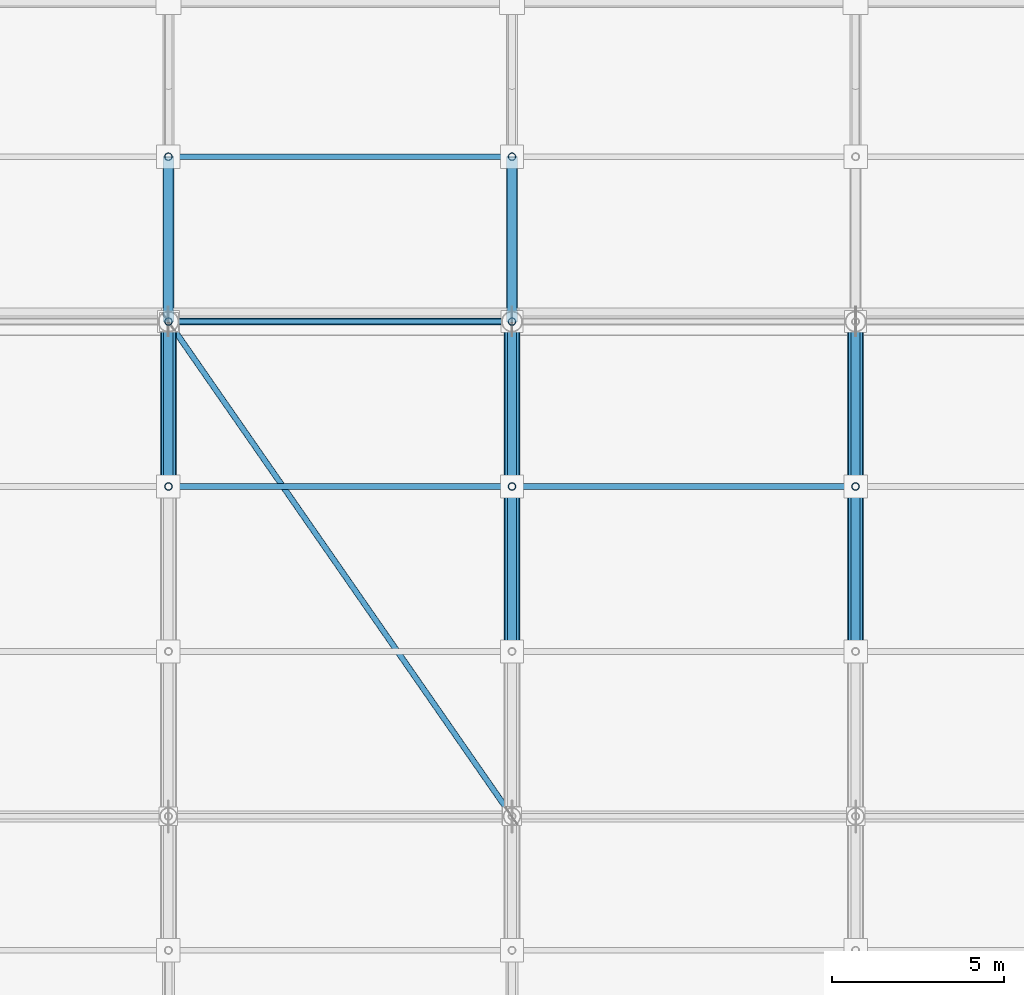
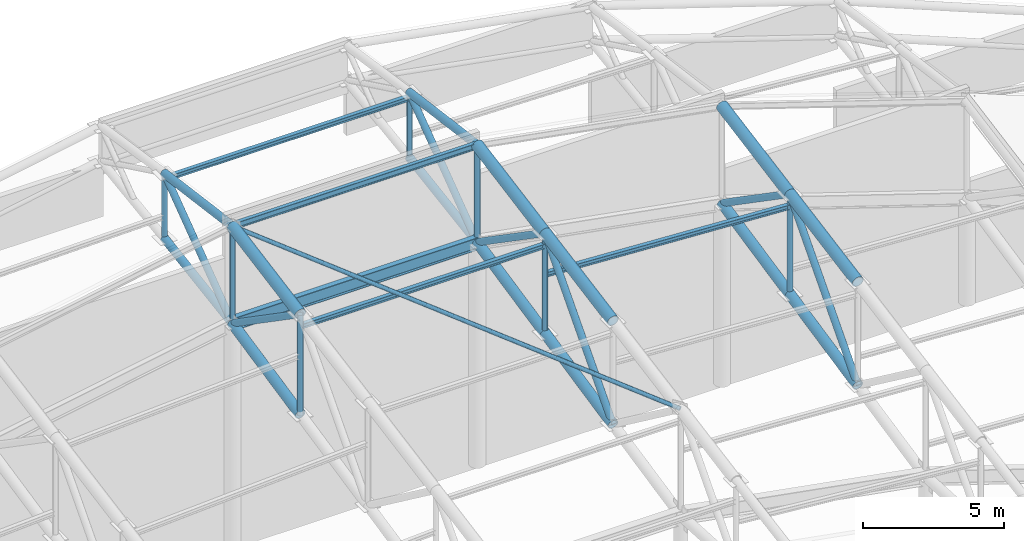
# One storey, part 94 of 146: 32 members, 2 beams.
"""IFC4 building model written with IfcOpenShell, lengths in metres."""

import ifcopenshell
import ifcopenshell.guid

model = None  # the IFC model being written
_history = None  # IfcOwnerHistory: only IFC2X3 demands one
_inside = {}  # id of a spatial element -> (the spatial element, [elements in it])
_under = {}  # id of a project, library or spatial element -> (it, [spatial elements below it])
_declared = {}  # id of a project -> (the project, [libraries it declares])
_typed = {}  # id of a type object -> (the type object, [elements of that type])
_made_of = {}  # id of a material, layer set ... -> (it, [elements and type objects made of it])


def new_model(schema):
    """Start an empty IFC model of exactly this schema.

    Asked for "IFC4X3", IfcOpenShell would pick the latest addendum, in which some entities
    have other attributes; the version numbers below select the first issue.
    IFC2X3 requires an IfcOwnerHistory on every rooted entity: one is made here for all.
    """
    global model, _history
    if schema == "IFC4X3":
        model = ifcopenshell.file(schema_version=(4, 3, 0, 0))
    else:
        model = ifcopenshell.file(schema=schema)
    _inside.clear()
    _under.clear()
    _declared.clear()
    _typed.clear()
    _made_of.clear()
    _history = None
    if model.schema == "IFC2X3":
        org = make("IfcOrganization", Name="unknown")
        user = make(
            "IfcPersonAndOrganization",
            ThePerson=make("IfcPerson", FamilyName="unknown"),
            TheOrganization=org,
        )
        app = make(
            "IfcApplication",
            ApplicationDeveloper=org,
            Version="unknown",
            ApplicationFullName="unknown",
            ApplicationIdentifier="unknown",
        )
        _history = make(
            "IfcOwnerHistory",
            OwningUser=user,
            OwningApplication=app,
            ChangeAction="ADDED",
            CreationDate=0,
        )
    return model


def make(cls, **values):
    """One entity of the class cls with the attributes given. An attribute that is None is left unset."""
    return model.create_entity(
        cls, **{name: value for name, value in values.items() if value is not None}
    )


def rooted(cls, **values):
    """An entity with a GlobalId (a new one), such as an element, a storey or a relation."""
    return make(cls, GlobalId=ifcopenshell.guid.new(), OwnerHistory=_history, **values)


def si_unit(unit_type, name, prefix=None):
    """IfcSIUnit, for example si_unit("LENGTHUNIT", "METRE", prefix="MILLI")."""
    return make("IfcSIUnit", UnitType=unit_type, Prefix=prefix, Name=name)


def assignment(units):
    """IfcUnitAssignment: the units of a project."""
    return None if units is None else make("IfcUnitAssignment", Units=units)


def point(xyz):
    """IfcCartesianPoint."""
    return None if xyz is None else make("IfcCartesianPoint", Coordinates=xyz)


def direction(xyz):
    """IfcDirection."""
    return None if xyz is None else make("IfcDirection", DirectionRatios=xyz)


def frame(location, z_axis=None, x_axis=None):
    """IfcAxis2Placement3D, a coordinate frame: its origin and axes. An axis left out is left unset."""
    return make(
        "IfcAxis2Placement3D",
        Location=point(location),
        Axis=direction(z_axis),
        RefDirection=direction(x_axis),
    )


def frame_2d(location, x_axis=None):
    """IfcAxis2Placement2D, a coordinate frame in the plane: its origin and x axis."""
    return make(
        "IfcAxis2Placement2D", Location=point(location), RefDirection=direction(x_axis)
    )


def origin():
    """The frame at (0, 0, 0) with its axes left unset."""
    return frame((0.0, 0.0, 0.0))


def origin_2d():
    """The frame at (0, 0) in the plane with its x axis left unset."""
    return frame_2d((0.0, 0.0))


def place(relative_to, where):
    """IfcLocalPlacement: puts the frame where relative to a parent placement (None: the world)."""
    return make(
        "IfcLocalPlacement", PlacementRelTo=relative_to, RelativePlacement=where
    )


def context(
    kind, dimensions, precision=None, world=None, true_north=None, identifier=None
):
    """IfcGeometricRepresentationContext, for example the 3D "Model" context."""
    return make(
        "IfcGeometricRepresentationContext",
        ContextIdentifier=identifier,
        ContextType=kind,
        CoordinateSpaceDimension=dimensions,
        Precision=precision,
        WorldCoordinateSystem=world,
        TrueNorth=true_north,
    )


def subcontext(parent, identifier, kind, view, scale=None):
    """IfcGeometricRepresentationSubContext, for example "Body" below "Model"."""
    return make(
        "IfcGeometricRepresentationSubContext",
        ContextIdentifier=identifier,
        ContextType=kind,
        ParentContext=parent,
        TargetScale=scale,
        TargetView=view,
    )


def project(units=None, contexts=None):
    """IfcProject with its units and contexts."""
    return rooted(
        "IfcProject",
        Name="project",
        RepresentationContexts=contexts,
        UnitsInContext=assignment(units),
    )


def spatial(cls, under=None, at=None, **own):
    """A site, building, storey or space (cls), placed at a placement, below another one or the project."""
    s = rooted(cls, ObjectPlacement=at, **own)
    if under is not None:
        _under.setdefault(under.id(), (under, []))[1].append(s)
    return s


def profile(cls, at=None, kind="AREA", **sizes):
    """A parametric profile (cls). Its sizes go by their IFC names, for example OverallWidth=200.0."""
    return make(cls, ProfileType=kind, Position=at, **sizes)


def hollow_circle(**sizes):
    """IfcCircleHollowProfileDef."""
    return profile("IfcCircleHollowProfileDef", **sizes)


def i_section(**sizes):
    """IfcIShapeProfileDef."""
    return profile("IfcIShapeProfileDef", **sizes)


def extrude(swept, where, along, depth):
    """IfcExtrudedAreaSolid: the profile swept, set in the frame where, extruded along a direction by depth."""
    return make(
        "IfcExtrudedAreaSolid",
        SweptArea=swept,
        Position=where,
        ExtrudedDirection=direction(along),
        Depth=depth,
    )


def shape(context_of_items, identifier, shape_type, items):
    """IfcShapeRepresentation: the items that make up one representation, for example the "Body"."""
    return make(
        "IfcShapeRepresentation",
        ContextOfItems=context_of_items,
        RepresentationIdentifier=identifier,
        RepresentationType=shape_type,
        Items=items,
    )


def material(Name=None, Category=None):
    """IfcMaterial."""
    return make("IfcMaterial", Name=Name, Category=Category)


def material_profile(
    of_material, cross_section, Name=None, Category=None, Priority=None
):
    """IfcMaterialProfile: a cross section and its material."""
    return make(
        "IfcMaterialProfile",
        Name=Name,
        Material=of_material,
        Profile=cross_section,
        Priority=Priority,
        Category=Category,
    )


def profile_set(profiles, Name=None, composite=None):
    """IfcMaterialProfileSet."""
    return make(
        "IfcMaterialProfileSet",
        Name=Name,
        MaterialProfiles=profiles,
        CompositeProfile=composite,
    )


def made_of(thing, what):
    """Note that an element or type object is made of a material, layer set ...; save() writes the relation."""
    if what is not None:
        _made_of.setdefault(what.id(), (what, []))[1].append(thing)
    return thing


def type_object(cls, material=None, **own):
    """A type object (cls), such as IfcWallType, which elements share."""
    return made_of(rooted(cls, **own), material)


def element(
    cls,
    number,
    at=None,
    inside=None,
    cuts=None,
    type_object=None,
    material=None,
    context=None,
    identifier="Body",
    shape_type=None,
    held_by="IfcProductDefinitionShape",
    body=None,
    shapes=None,
    **own,
):
    """One element of the class cls, such as IfcWall. Its Tag is "e" and its number.

    at: its placement. inside: the storey or other place that contains it. cuts: it is an
    opening in that element (IfcRelVoidsElement). A single representation is given by context,
    identifier, shape_type and body (its items); several are given by shapes. held_by: the class
    of the entity that holds the representations. save() writes the other relations.
    """
    e = rooted(cls, Tag="e%d" % number, ObjectPlacement=at, **own)
    if body is not None:
        shapes = [shape(context, identifier, shape_type, body)]
    if shapes is not None:
        e.Representation = make(held_by, Representations=shapes)
    if inside is not None:
        _inside.setdefault(inside.id(), (inside, []))[1].append(e)
    if cuts is not None:
        rooted(
            "IfcRelVoidsElement", RelatingBuildingElement=cuts, RelatedOpeningElement=e
        )
    if type_object is not None:
        _typed.setdefault(type_object.id(), (type_object, []))[1].append(e)
    return made_of(e, material)


def aggregate(whole, parts):
    """IfcRelAggregates: a whole, such as a stair, and the parts it consists of."""
    return rooted("IfcRelAggregates", RelatingObject=whole, RelatedObjects=parts)


def save(model, path):
    """Write the relations noted so far, then the file.

    IfcRelAggregates (storeys below a building ...), IfcRelContainedInSpatialStructure (elements
    in a storey), IfcRelDefinesByType, IfcRelAssociatesMaterial and IfcRelDeclares: one each for
    every whole, place, type object, material and project.
    """
    for whole, parts in _under.values():
        aggregate(whole, parts)
    for where, things in _inside.values():
        rooted(
            "IfcRelContainedInSpatialStructure",
            RelatedElements=things,
            RelatingStructure=where,
        )
    for kind, things in _typed.values():
        rooted("IfcRelDefinesByType", RelatedObjects=things, RelatingType=kind)
    for what, things in _made_of.values():
        rooted("IfcRelAssociatesMaterial", RelatedObjects=things, RelatingMaterial=what)
    for by, libraries in _declared.values():
        rooted("IfcRelDeclares", RelatingContext=by, RelatedDefinitions=libraries)
    model.write(path)


model = new_model("IFC4")

# Units and contexts
model_context = context("Model", 3, precision=1e-05, world=origin(), true_north=direction((0.0, 1.0)))
body_context = subcontext(model_context, "Body", "Model", "MODEL_VIEW")
ifc_project = project(units=[si_unit("LENGTHUNIT", "METRE"), si_unit("AREAUNIT", "SQUARE_METRE"), si_unit("VOLUMEUNIT", "CUBIC_METRE"), si_unit("PLANEANGLEUNIT", "RADIAN"), si_unit("MASSUNIT", "GRAM", prefix="KILO")], contexts=[model_context])

# Site, building, storey
site_placement = place(None, origin())
site = spatial("IfcSite", under=ifc_project, at=site_placement, CompositionType="ELEMENT")
building_placement = place(site_placement, origin())
building = spatial("IfcBuilding", under=site, at=building_placement, Name="Candeia Ridge Stadium", CompositionType="ELEMENT")
storey_placement = place(building_placement, frame((0.0, 0.0, 31.800048828125)))
storey = spatial("IfcBuildingStorey", under=building, at=storey_placement, Name="RF", CompositionType="ELEMENT", Elevation=31.800048828125)

# Beams
ifc_material = material(Name="Steel ASTM A572 Grade 50", Category="steel")
ifc_material_profile_1 = material_profile(ifc_material, i_section(OverallWidth=0.14794921875, OverallDepth=0.26611328125, WebThickness=0.007568359375, FlangeThickness=0.012939453125, FilletRadius=0.010986328125, at=origin_2d()), Name="W250x44.8", Category="steel")
ifc_profile_set_1 = profile_set([ifc_material_profile_1], Name="Steel ASTM A572 Grade 50")
beam_type_1 = type_object("IfcBeamType", Name="Canopy Edge Spandrel W250x44.8", PredefinedType="SPANDREL", material=ifc_profile_set_1)
beam_1_placement = place(storey_placement, frame((110.9599609375, 147.0, 13.76416015625), z_axis=(-1.0, 0.0, 0.0), x_axis=(0.0, -1.0, 0.0)))
element("IfcBeam", 1, at=beam_1_placement, inside=storey, type_object=beam_type_1, Name="Roof crown cap ring beam bay 04", PredefinedType="SPANDREL", context=body_context, shape_type="SweptSolid", body=[
    extrude(i_section(OverallWidth=0.14794921875, OverallDepth=0.26611328125, WebThickness=0.007568359375, FlangeThickness=0.012939453125, FilletRadius=0.010986328125, at=origin_2d()), origin(), (0.0, 0.0, 1.0), 9.919921875),
])
ifc_material_profile_2 = material_profile(ifc_material, i_section(OverallWidth=0.2119140625, OverallDepth=0.5439453125, WebThickness=0.01318359375, FlangeThickness=0.021240234375, FilletRadius=0.013916015625, at=origin_2d()), Name="W530x123", Category="steel")
ifc_profile_set_2 = profile_set([ifc_material_profile_2], Name="Steel ASTM A572 Grade 50")
beam_type_2 = type_object("IfcBeamType", Name="Roof Perimeter Ring Beam W530x123", PredefinedType="BEAM", material=ifc_profile_set_2)
beam_2_placement = place(storey_placement, frame((110.9599609375, 147.0, 9.564208984375), z_axis=(-1.0, 0.0, 0.0), x_axis=(0.0, -1.0, 0.0)))
element("IfcBeam", 2, at=beam_2_placement, inside=storey, type_object=beam_type_2, Name="Roof perimeter ring beam bay 04", PredefinedType="BEAM", context=body_context, shape_type="SweptSolid", body=[
    extrude(i_section(OverallWidth=0.2119140625, OverallDepth=0.5439453125, WebThickness=0.01318359375, FlangeThickness=0.021240234375, FilletRadius=0.013916015625, at=origin_2d()), origin(), (0.0, 0.0, 1.0), 9.919921875),
])

# Members
ifc_material_profile_3 = material_profile(ifc_material, hollow_circle(Radius=0.084228515625, WallThickness=0.008056640625, at=origin_2d()), Name="CHS168x8", Category="steel")
ifc_profile_set_3 = profile_set([ifc_material_profile_3], Name="Steel ASTM A572 Grade 50")
member_type_1 = type_object("IfcMemberType", Name="Roof Plan Wind Brace CHS168x8", PredefinedType="BRACE", material=ifc_profile_set_3)
member_1_placement = place(storey_placement, frame((110.98876953125, 132.6162109375, 11.103271484375), z_axis=(-0.56392860847, 0.812044501318, 0.150227335823), x_axis=(-0.821365787944, -0.570401825378, 0.0)))
element("IfcMember", 3, at=member_1_placement, inside=storey, type_object=member_type_1, Name="Roof plane wind brace bay 04", PredefinedType="BRACE", context=body_context, shape_type="SweptSolid", body=[
    extrude(hollow_circle(Radius=0.084228515625, WallThickness=0.008056640625, at=origin_2d()), origin(), (0.0, 0.0, 1.0), 17.69287109375),
])
ifc_material_profile_4 = material_profile(ifc_material, i_section(OverallWidth=0.1650390625, OverallDepth=0.200927734375, WebThickness=0.006103515625, FlangeThickness=0.01025390625, FilletRadius=0.010009765625, at=origin_2d()), Name="W200x35.9", Category="steel")
ifc_profile_set_4 = profile_set([ifc_material_profile_4], Name="Steel ASTM A572 Grade 50")
member_type_2 = type_object("IfcMemberType", Name="Roof Purlin W200x35.9", PredefinedType="PURLIN", material=ifc_profile_set_4)
member_2_placement = place(storey_placement, frame((120.9501953125, 142.199951171875, 10.5439453125), z_axis=(-0.998435557369, 0.0, 0.055914557871), x_axis=(0.0, -1.0, 0.0)))
element("IfcMember", 4, at=member_2_placement, inside=storey, type_object=member_type_2, Name="Saddle roof steel purlin bay 03-4", PredefinedType="PURLIN", context=body_context, shape_type="SweptSolid", body=[
    extrude(i_section(OverallWidth=0.1650390625, OverallDepth=0.200927734375, WebThickness=0.006103515625, FlangeThickness=0.01025390625, FilletRadius=0.010009765625, at=origin_2d()), origin(), (0.0, 0.0, 1.0), 9.916015625),
])
for number, where, z_axis, x_axis, name in (
    (5, (110.949951171875, 142.199951171875, 12.356201171875), (-1.0, 0.0, 0.0), (0.0, -1.0, 0.0), "Saddle roof steel purlin bay 04-4"),
    (6, (110.949951171875, 151.800048828125, 12.902587890625), (-1.0, 0.0, 0.0), (0.0, -1.0, 0.0), "Saddle roof steel purlin bay 04-5"),
):
    element("IfcMember", number, at=place(storey_placement, frame(where, z_axis=z_axis, x_axis=x_axis)), inside=storey, type_object=member_type_2, Name=name, PredefinedType="PURLIN", context=body_context, shape_type="SweptSolid", body=[
        extrude(i_section(OverallWidth=0.1650390625, OverallDepth=0.200927734375, WebThickness=0.006103515625, FlangeThickness=0.01025390625, FilletRadius=0.010009765625, at=origin_2d()), origin(), (0.0, 0.0, 1.0), 9.89990234375),
    ])
ifc_material_profile_5 = material_profile(ifc_material, hollow_circle(Radius=0.161865234375, WallThickness=0.012451171875, at=origin_2d()), Name="CHS323x12", Category="steel")
ifc_profile_set_5 = profile_set([ifc_material_profile_5], Name="Steel ASTM A572 Grade 50")
member_type_3 = type_object("IfcMemberType", Name="Roof Truss Eaves Chord CHS323x12", PredefinedType="CHORD", material=ifc_profile_set_5)
member_3_placement = place(storey_placement, frame((111.0, 147.0, 13.76416015625), z_axis=(0.0, 0.991184698971, -0.132487329683), x_axis=(-1.0, 0.0, 0.0)))
element("IfcMember", 7, at=member_3_placement, inside=storey, type_object=member_type_3, Name="Roof cantilever truss RT-04 top chord 7", PredefinedType="CHORD", context=body_context, shape_type="SweptSolid", body=[
    extrude(hollow_circle(Radius=0.161865234375, WallThickness=0.012451171875, at=origin_2d()), origin(), (0.0, 0.0, 1.0), 4.8427734375),
])
member_4_placement = place(storey_placement, frame((111.0, 147.0, 9.564208984375), z_axis=(0.0, 0.987950881294, 0.154767749066), x_axis=(-1.0, 0.0, 0.0)))
element("IfcMember", 8, at=member_4_placement, inside=storey, type_object=member_type_3, Name="Roof cantilever truss RT-04 bottom chord 7", PredefinedType="CHORD", context=body_context, shape_type="SweptSolid", body=[
    extrude(hollow_circle(Radius=0.161865234375, WallThickness=0.012451171875, at=origin_2d()), origin(), (0.0, 0.0, 1.0), 4.858642578125),
])
member_5_placement = place(storey_placement, frame((101.0, 147.0, 13.76416015625), z_axis=(0.0, 0.991184698971, -0.132487329683), x_axis=(-1.0, 0.0, 0.0)))
element("IfcMember", 9, at=member_5_placement, inside=storey, type_object=member_type_3, Name="Roof cantilever truss RT-05 top chord 7", PredefinedType="CHORD", context=body_context, shape_type="SweptSolid", body=[
    extrude(hollow_circle(Radius=0.161865234375, WallThickness=0.012451171875, at=origin_2d()), origin(), (0.0, 0.0, 1.0), 4.8427734375),
])
member_6_placement = place(storey_placement, frame((101.0, 147.0, 9.564208984375), z_axis=(0.0, 0.987950881294, 0.154767749066), x_axis=(-1.0, 0.0, 0.0)))
element("IfcMember", 10, at=member_6_placement, inside=storey, type_object=member_type_3, Name="Roof cantilever truss RT-05 bottom chord 7", PredefinedType="CHORD", context=body_context, shape_type="SweptSolid", body=[
    extrude(hollow_circle(Radius=0.161865234375, WallThickness=0.012451171875, at=origin_2d()), origin(), (0.0, 0.0, 1.0), 4.858642578125),
])
ifc_material_profile_6 = material_profile(ifc_material, hollow_circle(Radius=0.136474609375, WallThickness=0.010009765625, at=origin_2d()), Name="CHS273x10", Category="steel")
ifc_profile_set_6 = profile_set([ifc_material_profile_6], Name="Steel ASTM A572 Grade 50")
member_type_4 = type_object("IfcMemberType", Name="Roof Truss Heavy Web Brace CHS273x10", PredefinedType="BRACE", material=ifc_profile_set_6)
member_7_placement = place(storey_placement, frame((121.0, 137.39990234375, 5.70654296875), z_axis=(0.0, 0.667504126232, 0.744606098191), x_axis=(-1.0, 0.0, 0.0)))
element("IfcMember", 11, at=member_7_placement, inside=storey, type_object=member_type_4, Name="Roof cantilever truss RT-03 diagonal web 5", PredefinedType="BRACE", context=body_context, shape_type="SweptSolid", body=[
    extrude(hollow_circle(Radius=0.136474609375, WallThickness=0.010009765625, at=origin_2d()), origin(), (0.0, 0.0, 1.0), 7.19091796875),
])
member_8_placement = place(storey_placement, frame((121.0, 142.199951171875, 11.06103515625), z_axis=(0.0, 0.823101445803, -0.567894365104), x_axis=(-1.0, 0.0, 0.0)))
element("IfcMember", 12, at=member_8_placement, inside=storey, type_object=member_type_4, Name="Roof cantilever truss RT-03 diagonal web 6", PredefinedType="BRACE", context=body_context, shape_type="SweptSolid", body=[
    extrude(hollow_circle(Radius=0.136474609375, WallThickness=0.010009765625, at=origin_2d()), origin(), (0.0, 0.0, 1.0), 5.83154296875),
])
member_9_placement = place(storey_placement, frame((111.0, 137.39990234375, 7.521484375), z_axis=(0.0, 0.667487252066, 0.744621224737), x_axis=(-1.0, 0.0, 0.0)))
element("IfcMember", 13, at=member_9_placement, inside=storey, type_object=member_type_4, Name="Roof cantilever truss RT-04 diagonal web 5", PredefinedType="BRACE", context=body_context, shape_type="SweptSolid", body=[
    extrude(hollow_circle(Radius=0.136474609375, WallThickness=0.010009765625, at=origin_2d()), origin(), (0.0, 0.0, 1.0), 7.191162109375),
])
member_10_placement = place(storey_placement, frame((111.0, 142.199951171875, 12.876220703125), z_axis=(0.0, 0.823081876777, -0.567922727245), x_axis=(-1.0, 0.0, 0.0)))
element("IfcMember", 14, at=member_10_placement, inside=storey, type_object=member_type_4, Name="Roof cantilever truss RT-04 diagonal web 6", PredefinedType="BRACE", context=body_context, shape_type="SweptSolid", body=[
    extrude(hollow_circle(Radius=0.136474609375, WallThickness=0.010009765625, at=origin_2d()), origin(), (0.0, 0.0, 1.0), 5.831787109375),
])
member_11_placement = place(storey_placement, frame((111.0, 147.0, 9.564208984375), z_axis=(0.0, 0.803336374347, 0.595525540721), x_axis=(-1.0, 0.0, 0.0)))
element("IfcMember", 15, at=member_11_placement, inside=storey, type_object=member_type_4, Name="Roof cantilever truss RT-04 diagonal web 7", PredefinedType="BRACE", context=body_context, shape_type="SweptSolid", body=[
    extrude(hollow_circle(Radius=0.136474609375, WallThickness=0.010009765625, at=origin_2d()), origin(), (0.0, 0.0, 1.0), 5.97509765625),
])
member_12_placement = place(storey_placement, frame((101.0, 142.199951171875, 12.876220703125), z_axis=(0.0, 0.823081876777, -0.567922727245), x_axis=(-1.0, 0.0, 0.0)))
element("IfcMember", 16, at=member_12_placement, inside=storey, type_object=member_type_4, Name="Roof cantilever truss RT-05 diagonal web 6", PredefinedType="BRACE", context=body_context, shape_type="SweptSolid", body=[
    extrude(hollow_circle(Radius=0.136474609375, WallThickness=0.010009765625, at=origin_2d()), origin(), (0.0, 0.0, 1.0), 5.831787109375),
])
member_13_placement = place(storey_placement, frame((101.0, 147.0, 9.564208984375), z_axis=(0.0, 0.803336374347, 0.595525540721), x_axis=(-1.0, 0.0, 0.0)))
element("IfcMember", 17, at=member_13_placement, inside=storey, type_object=member_type_4, Name="Roof cantilever truss RT-05 diagonal web 7", PredefinedType="BRACE", context=body_context, shape_type="SweptSolid", body=[
    extrude(hollow_circle(Radius=0.136474609375, WallThickness=0.010009765625, at=origin_2d()), origin(), (0.0, 0.0, 1.0), 5.97509765625),
])
ifc_material_profile_7 = material_profile(ifc_material, hollow_circle(Radius=0.109619140625, WallThickness=0.010009765625, at=origin_2d()), Name="CHS219x10", Category="steel")
ifc_profile_set_7 = profile_set([ifc_material_profile_7], Name="Steel ASTM A572 Grade 50")
member_type_5 = type_object("IfcMemberType", Name="Roof Truss Inner Web Brace CHS219x10", PredefinedType="BRACE", material=ifc_profile_set_7)
for number, where, z_axis, x_axis, name in (
    (18, (121.0, 142.199951171875, 6.727783203125), (0.0, 0.0, 1.0), (1.0, 0.0, 0.0), "Roof cantilever truss RT-03 vertical post 5"),
    (19, (111.0, 142.199951171875, 8.54296875), (0.0, 0.0, 1.0), (1.0, 0.0, 0.0), "Roof cantilever truss RT-04 vertical post 5"),
):
    element("IfcMember", number, at=place(storey_placement, frame(where, z_axis=z_axis, x_axis=x_axis)), inside=storey, type_object=member_type_5, Name=name, PredefinedType="BRACE", context=body_context, shape_type="SweptSolid", body=[
        extrude(hollow_circle(Radius=0.109619140625, WallThickness=0.010009765625, at=origin_2d()), origin(), (0.0, 0.0, 1.0), 4.333251953125),
    ])
member_14_placement = place(storey_placement, frame((111.0, 147.0, 9.564208984375), z_axis=(0.0, 0.0, 1.0), x_axis=(1.0, 0.0, 0.0)))
element("IfcMember", 20, at=member_14_placement, inside=storey, type_object=member_type_5, Name="Roof cantilever truss RT-04 vertical post 6", PredefinedType="BRACE", context=body_context, shape_type="SweptSolid", body=[
    extrude(hollow_circle(Radius=0.109619140625, WallThickness=0.010009765625, at=origin_2d()), origin(), (0.0, 0.0, 1.0), 4.199951171875),
])
member_15_placement = place(storey_placement, frame((111.0, 151.800048828125, 10.316162109375), z_axis=(0.0, 0.0, 1.0), x_axis=(1.0, 0.0, 0.0)))
element("IfcMember", 21, at=member_15_placement, inside=storey, type_object=member_type_5, Name="Roof cantilever truss RT-04 vertical post 7", PredefinedType="BRACE", context=body_context, shape_type="SweptSolid", body=[
    extrude(hollow_circle(Radius=0.109619140625, WallThickness=0.010009765625, at=origin_2d()), origin(), (0.0, 0.0, 1.0), 2.806396484375),
])
member_16_placement = place(storey_placement, frame((101.0, 142.199951171875, 8.54296875), z_axis=(0.0, 0.0, 1.0), x_axis=(1.0, 0.0, 0.0)))
element("IfcMember", 22, at=member_16_placement, inside=storey, type_object=member_type_5, Name="Roof cantilever truss RT-05 vertical post 5", PredefinedType="BRACE", context=body_context, shape_type="SweptSolid", body=[
    extrude(hollow_circle(Radius=0.109619140625, WallThickness=0.010009765625, at=origin_2d()), origin(), (0.0, 0.0, 1.0), 4.333251953125),
])
member_17_placement = place(storey_placement, frame((101.0, 147.0, 9.564208984375), z_axis=(0.0, 0.0, 1.0), x_axis=(1.0, 0.0, 0.0)))
element("IfcMember", 23, at=member_17_placement, inside=storey, type_object=member_type_5, Name="Roof cantilever truss RT-05 vertical post 6", PredefinedType="BRACE", context=body_context, shape_type="SweptSolid", body=[
    extrude(hollow_circle(Radius=0.109619140625, WallThickness=0.010009765625, at=origin_2d()), origin(), (0.0, 0.0, 1.0), 4.199951171875),
])
member_18_placement = place(storey_placement, frame((101.0, 151.800048828125, 10.316162109375), z_axis=(0.0, 0.0, 1.0), x_axis=(1.0, 0.0, 0.0)))
element("IfcMember", 24, at=member_18_placement, inside=storey, type_object=member_type_5, Name="Roof cantilever truss RT-05 vertical post 7", PredefinedType="BRACE", context=body_context, shape_type="SweptSolid", body=[
    extrude(hollow_circle(Radius=0.109619140625, WallThickness=0.010009765625, at=origin_2d()), origin(), (0.0, 0.0, 1.0), 2.806396484375),
])
ifc_material_profile_8 = material_profile(ifc_material, hollow_circle(Radius=0.228515625, WallThickness=0.02001953125, at=origin_2d()), Name="CHS457x20", Category="steel")
ifc_profile_set_8 = profile_set([ifc_material_profile_8], Name="Steel ASTM A572 Grade 50")
member_type_6 = type_object("IfcMemberType", Name="Roof Truss Main Chord CHS457x20", PredefinedType="CHORD", material=ifc_profile_set_8)
for number, where, z_axis, x_axis, name in (
    (25, (121.0, 137.39990234375, 10.173095703125), (0.0, 0.983317142098, 0.181899417416), (-1.0, 0.0, 0.0), "Roof cantilever truss RT-03 top chord 5"),
    (26, (121.0, 142.199951171875, 11.06103515625), (0.0, 0.983308195319, 0.181947775524), (-1.0, 0.0, 0.0), "Roof cantilever truss RT-03 top chord 6"),
    (27, (111.0, 137.39990234375, 11.98828125), (0.0, 0.983317142098, 0.181899417416), (-1.0, 0.0, 0.0), "Roof cantilever truss RT-04 top chord 5"),
    (28, (111.0, 142.199951171875, 12.876220703125), (0.0, 0.983317142098, 0.181899417416), (-1.0, 0.0, 0.0), "Roof cantilever truss RT-04 top chord 6"),
    (29, (101.0, 142.199951171875, 12.876220703125), (0.0, 0.983317142098, 0.181899417416), (-1.0, 0.0, 0.0), "Roof cantilever truss RT-05 top chord 6"),
):
    element("IfcMember", number, at=place(storey_placement, frame(where, z_axis=z_axis, x_axis=x_axis)), inside=storey, type_object=member_type_6, Name=name, PredefinedType="CHORD", context=body_context, shape_type="SweptSolid", body=[
        extrude(hollow_circle(Radius=0.228515625, WallThickness=0.02001953125, at=origin_2d()), origin(), (0.0, 0.0, 1.0), 4.881591796875),
    ])
ifc_material_profile_9 = material_profile(ifc_material, hollow_circle(Radius=0.202880859375, WallThickness=0.01611328125, at=origin_2d()), Name="CHS406x16", Category="steel")
ifc_profile_set_9 = profile_set([ifc_material_profile_9], Name="Steel ASTM A572 Grade 50")
member_type_7 = type_object("IfcMemberType", Name="Roof Truss Outer Chord CHS406x16", PredefinedType="CHORD", material=ifc_profile_set_9)
for number, where, z_axis, x_axis, name in (
    (30, (121.0, 137.39990234375, 5.70654296875), (0.0, 0.97810786804, 0.208098530696), (-1.0, 0.0, 0.0), "Roof cantilever truss RT-03 bottom chord 5"),
    (31, (121.0, 142.199951171875, 6.727783203125), (0.0, 0.978097741011, 0.208146124225), (-1.0, 0.0, 0.0), "Roof cantilever truss RT-03 bottom chord 6"),
    (32, (111.0, 137.39990234375, 7.521484375), (0.0, 0.978097741011, 0.208146124225), (-1.0, 0.0, 0.0), "Roof cantilever truss RT-04 bottom chord 5"),
    (33, (111.0, 142.199951171875, 8.54296875), (0.0, 0.97810786804, 0.208098530696), (-1.0, 0.0, 0.0), "Roof cantilever truss RT-04 bottom chord 6"),
    (34, (101.0, 142.199951171875, 8.54296875), (0.0, 0.97810786804, 0.208098530696), (-1.0, 0.0, 0.0), "Roof cantilever truss RT-05 bottom chord 6"),
):
    element("IfcMember", number, at=place(storey_placement, frame(where, z_axis=z_axis, x_axis=x_axis)), inside=storey, type_object=member_type_7, Name=name, PredefinedType="CHORD", context=body_context, shape_type="SweptSolid", body=[
        extrude(hollow_circle(Radius=0.202880859375, WallThickness=0.01611328125, at=origin_2d()), origin(), (0.0, 0.0, 1.0), 4.907470703125),
    ])

save(model, "model.ifc")
